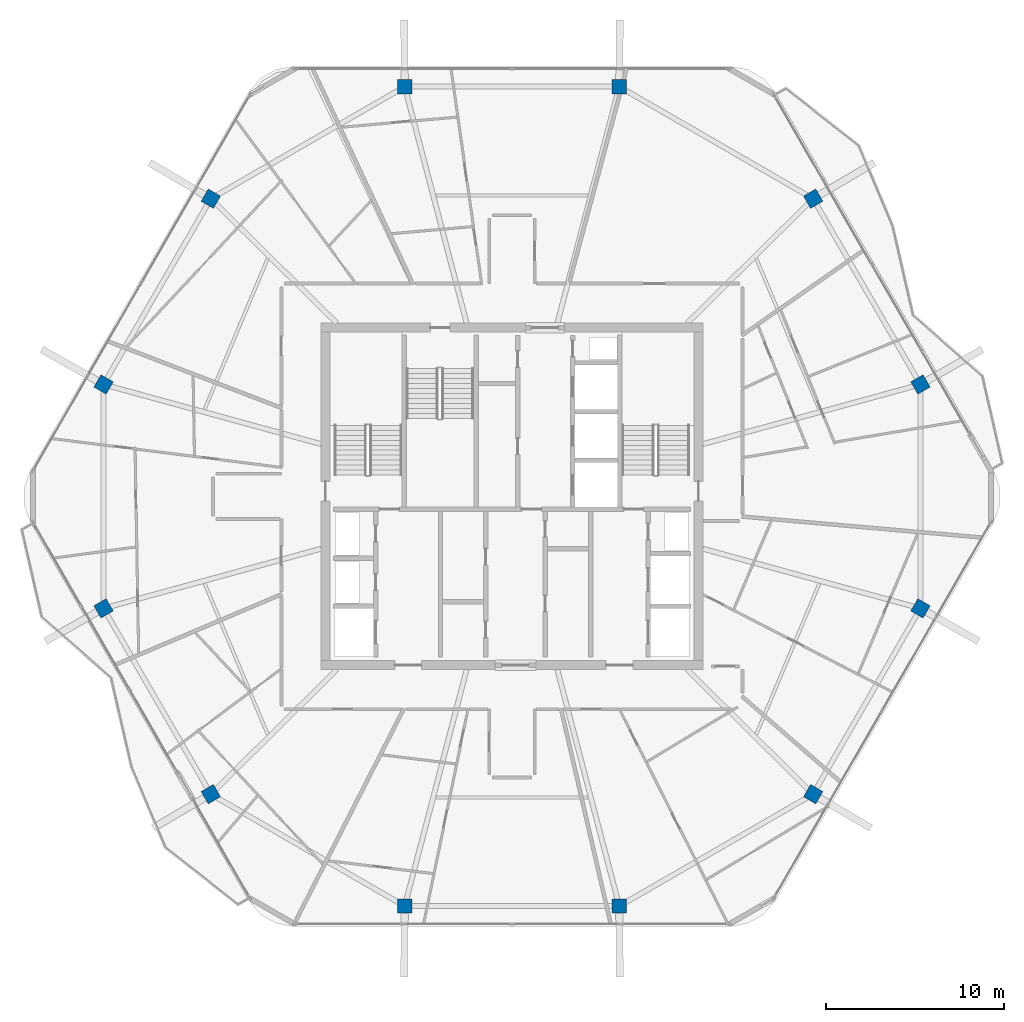
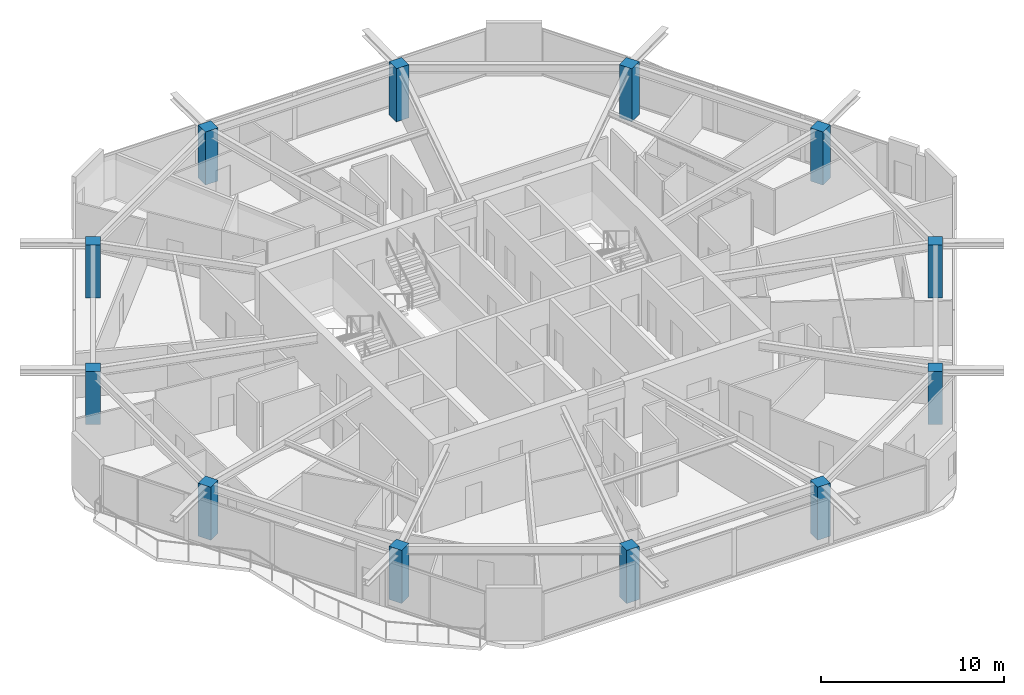
# One storey, part 1 of 21: 12 columns.
"""IFC4 building model written with IfcOpenShell, lengths in metres."""

from ifc_helpers import new_model, si_unit, direction, frame, origin, origin_2d, place, context, subcontext, project, spatial, rectangle, extrude, material, material_profile, profile_set, type_object, element, save


model = new_model("IFC4")

# Units and contexts
model_context = context("Model", 3, precision=1e-05, world=origin(), true_north=direction((0.0, 1.0)))
body_context = subcontext(model_context, "Body", "Model", "MODEL_VIEW")
ifc_project = project(units=[si_unit("LENGTHUNIT", "METRE"), si_unit("AREAUNIT", "SQUARE_METRE"), si_unit("VOLUMEUNIT", "CUBIC_METRE"), si_unit("PLANEANGLEUNIT", "RADIAN"), si_unit("MASSUNIT", "GRAM", prefix="KILO")], contexts=[model_context])

# Site, building, storey
site_placement = place(None, origin())
site = spatial("IfcSite", under=ifc_project, at=site_placement, CompositionType="ELEMENT")
building_placement = place(site_placement, origin())
building = spatial("IfcBuilding", under=site, at=building_placement, Name="Zuhravey Tower", CompositionType="ELEMENT")
storey_placement = place(building_placement, frame((0.0, 0.0, 319.60009765625)))
storey = spatial("IfcBuildingStorey", under=building, at=storey_placement, Name="L81", CompositionType="ELEMENT", Elevation=319.60009765625)

# Columns
ifc_material = material(Name="Concrete C50/60", Category="concrete")
ifc_material_profile = material_profile(ifc_material, rectangle(XDim=0.800048828125, YDim=0.800048828125, at=origin_2d()), Name="RC-800x800")
ifc_profile_set = profile_set([ifc_material_profile], Name="Concrete C50/60")
column_type = type_object("IfcColumnType", Name="Zone 4 Perimeter Column 800x800", PredefinedType="COLUMN", material=ifc_profile_set)
for number, where, z_axis, x_axis, name in (
    (1, (58.993408203125, 38.302490234375, 0.0), (0.0, 0.0, 1.0), (-0.5, 0.866025403784, 0.0), "L81 Perimeter Column PC01"),
    (2, (52.95458984375, 48.76171875, 0.0), (0.0, 0.0, 1.0), (-0.5, 0.866025403784, 0.0), "L81 Perimeter Column PC02"),
    (3, (42.038818359375, 55.064208984375, 0.0), (0.0, 0.0, 1.0), (-1.0, 0.0, 0.0), "L81 Perimeter Column PC03"),
    (4, (29.961181640625, 55.064208984375, 0.0), (0.0, 0.0, 1.0), (-1.0, 0.0, 0.0), "L81 Perimeter Column PC04"),
    (5, (19.04541015625, 48.76171875, 0.0), (0.0, 0.0, 1.0), (-0.5, -0.866025403784, 0.0), "L81 Perimeter Column PC05"),
    (6, (13.006591796875, 38.302490234375, 0.0), (0.0, 0.0, 1.0), (-0.5, -0.866025403784, 0.0), "L81 Perimeter Column PC06"),
    (7, (13.006591796875, 25.697509765625, 0.0), (0.0, 0.0, 1.0), (0.5, -0.866025403784, 0.0), "L81 Perimeter Column PC07"),
    (8, (19.04541015625, 15.23828125, 0.0), (0.0, 0.0, 1.0), (0.5, -0.866025403784, 0.0), "L81 Perimeter Column PC08"),
    (9, (29.961181640625, 8.935791015625, 0.0), (0.0, 0.0, 1.0), (1.0, 0.0, 0.0), "L81 Perimeter Column PC09"),
    (10, (42.038818359375, 8.935791015625, 0.0), (0.0, 0.0, 1.0), (1.0, 0.0, 0.0), "L81 Perimeter Column PC10"),
    (11, (52.95458984375, 15.23828125, 0.0), (0.0, 0.0, 1.0), (0.5, 0.866025403784, 0.0), "L81 Perimeter Column PC11"),
    (12, (58.993408203125, 25.697509765625, 0.0), (0.0, 0.0, 1.0), (0.5, 0.866025403784, 0.0), "L81 Perimeter Column PC12"),
):
    element("IfcColumn", number, at=place(storey_placement, frame(where, z_axis=z_axis, x_axis=x_axis)), inside=storey, type_object=column_type, Name=name, PredefinedType="COLUMN", context=body_context, shape_type="SweptSolid", body=[
        extrude(rectangle(XDim=0.800048828125, YDim=0.800048828125, at=origin_2d()), origin(), (0.0, 0.0, 1.0), 3.5498046875),
    ])

save(model, "model.ifc")
